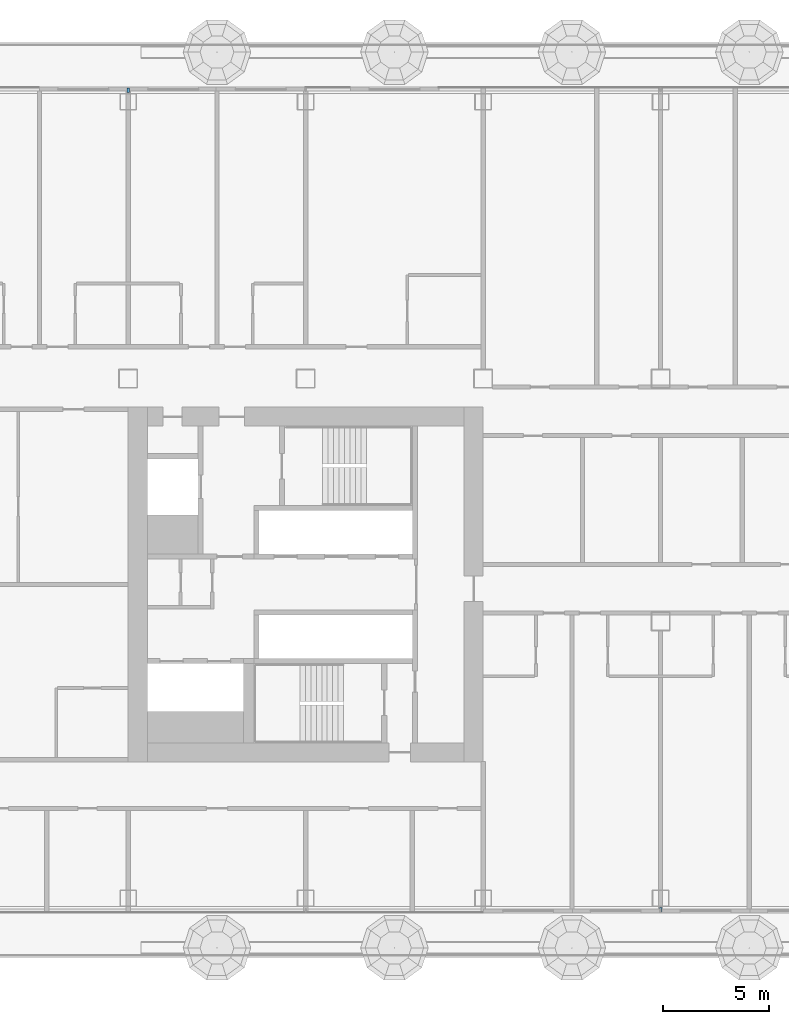
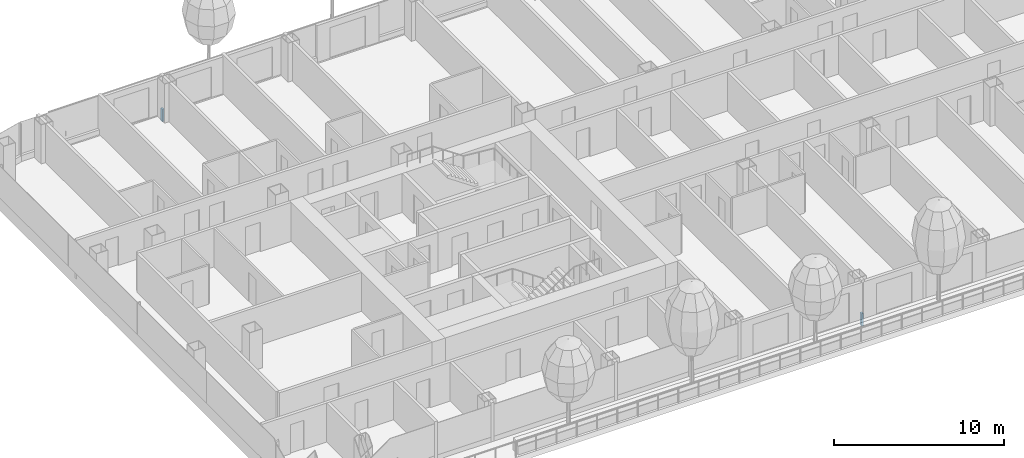
# One storey, part 10 of 34: 2 members, 2 elements without a shape of their own.
"""IFC4 building model written with IfcOpenShell, lengths in metres."""

from ifc_helpers import new_model, si_unit, direction, frame, origin, origin_2d, place, context, subcontext, project, spatial, rectangle, extrude, material, layer, layer_set, material_profile, profile_set, type_object, element, aggregate, save


model = new_model("IFC4")

# Units and contexts
model_context = context("Model", 3, precision=1e-05, world=origin(), true_north=direction((0.0, 1.0)))
body_context = subcontext(model_context, "Body", "Model", "MODEL_VIEW")
ifc_project = project(units=[si_unit("LENGTHUNIT", "METRE"), si_unit("AREAUNIT", "SQUARE_METRE"), si_unit("VOLUMEUNIT", "CUBIC_METRE"), si_unit("PLANEANGLEUNIT", "RADIAN"), si_unit("MASSUNIT", "GRAM", prefix="KILO")], contexts=[model_context])

# Site, building, storey
site_placement = place(None, origin())
site = spatial("IfcSite", under=ifc_project, at=site_placement, CompositionType="ELEMENT")
building_placement = place(site_placement, origin())
building = spatial("IfcBuilding", under=site, at=building_placement, Name="Hakoniwa Tower and Hamabe Station Hall", CompositionType="ELEMENT")
storey_placement = place(building_placement, frame((0.0, 0.0, 94.60009765625)))
storey = spatial("IfcBuildingStorey", under=building, at=storey_placement, Name="L26", CompositionType="ELEMENT", Elevation=94.60009765625)

# Curtain wall, member
ifc_material_1 = material(Name="Dark low-e laminated glass", Category="glass")
ifc_layer = layer(ifc_material_1, 0.199951171875)
ifc_layer_set = layer_set([ifc_layer], Name="CW-1 UNITISED GUEST")
curtain_wall_type = type_object("IfcCurtainWallType", Name="CW-1 UNITISED GUEST", PredefinedType="NOTDEFINED", material=ifc_layer_set)
curtain_wall_1_placement = place(storey_placement, origin())
curtain_wall_1 = element("IfcCurtainWall", 1, at=curtain_wall_1_placement, inside=storey, type_object=curtain_wall_type, Name="CW-1 curtain wall", PredefinedType="NOTDEFINED")
ifc_material_2 = material(Name="Aluminium 6063-T5 black anodised", Category="aluminium")
ifc_material_profile = material_profile(ifc_material_2, rectangle(XDim=0.199951171875, YDim=0.89990234375, at=origin_2d()), Name="CW SLAB-EDGE BAND 900X200")
ifc_profile_set = profile_set([ifc_material_profile], Name="Aluminium 6063-T5 black anodised")
member_type = type_object("IfcMemberType", Name="CW SLAB-EDGE BAND 900X200", PredefinedType="USERDEFINED", material=ifc_profile_set)
member_1_placement = place(storey_placement, frame((-33.5400390625, 23.39990234375, -0.10009765625), z_axis=(-1.0, 0.0, 0.0), x_axis=(0.0, -1.0, 0.0)))
member_1 = element("IfcMember", 2, at=member_1_placement, type_object=member_type, Name="CW-1 transom", ObjectType="TRANSOM", PredefinedType="USERDEFINED", context=body_context, shape_type="SweptSolid", body=[
    extrude(rectangle(XDim=0.199951171875, YDim=0.89990234375, at=origin_2d()), origin(), (0.0, 0.0, 1.0), 0.119873046875),
])
aggregate(curtain_wall_1, [member_1])

curtain_wall_2_placement = place(storey_placement, origin())
curtain_wall_2 = element("IfcCurtainWall", 3, at=curtain_wall_2_placement, inside=storey, type_object=curtain_wall_type, Name="CW-1 curtain wall", PredefinedType="NOTDEFINED")
member_2_placement = place(storey_placement, frame((-8.4599609375, -15.39990234375, -0.10009765625), z_axis=(1.0, 0.0, 0.0), x_axis=(0.0, 1.0, 0.0)))
member_2 = element("IfcMember", 4, at=member_2_placement, type_object=member_type, Name="CW-1 transom", ObjectType="TRANSOM", PredefinedType="USERDEFINED", context=body_context, shape_type="SweptSolid", body=[
    extrude(rectangle(XDim=0.199951171875, YDim=0.89990234375, at=origin_2d()), origin(), (0.0, 0.0, 1.0), 0.119873046875),
])
aggregate(curtain_wall_2, [member_2])

save(model, "model.ifc")
